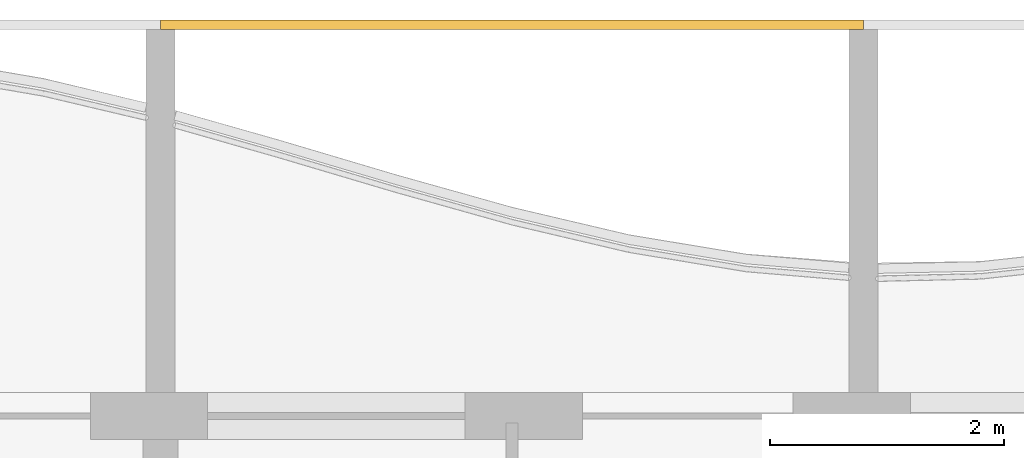
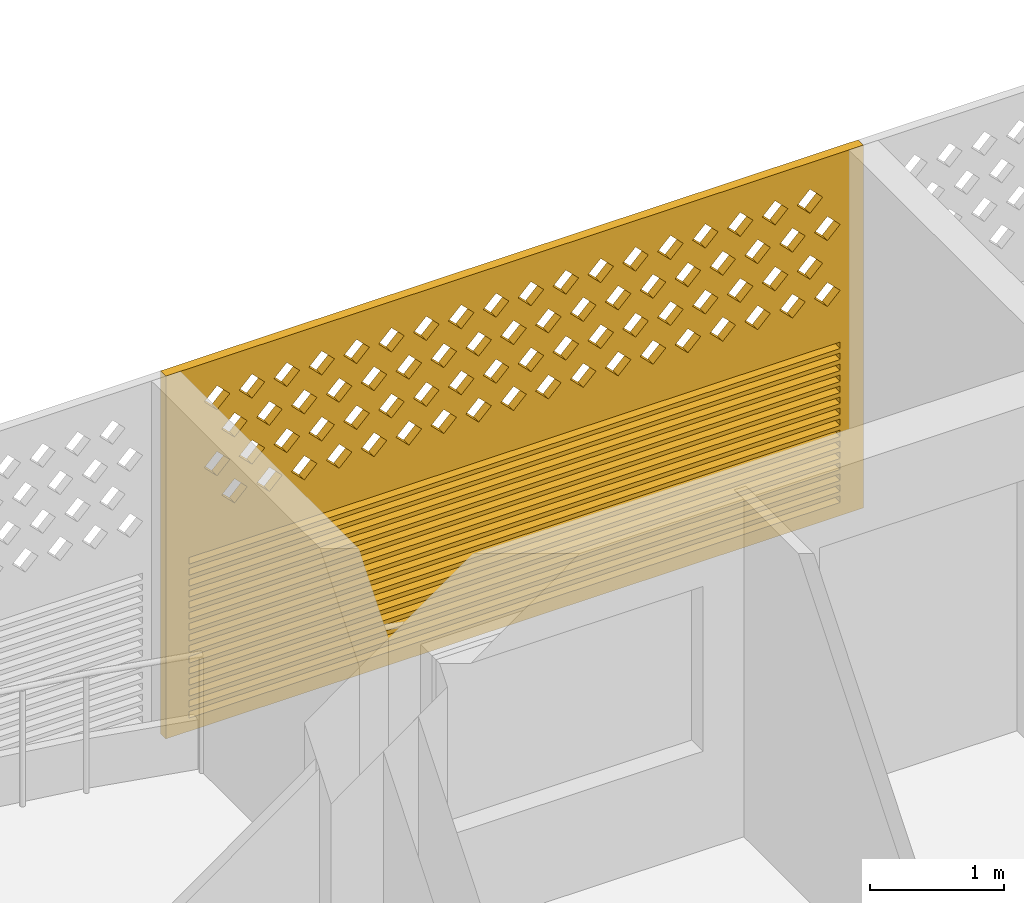
# One storey, part 20 of 32: 1 covering.
"""IFC4 building model written with IfcOpenShell, lengths in metres."""

from ifc_helpers import new_model, si_unit, direction, frame, origin, place, context, subcontext, project, spatial, polyline, outline, extrude, source, transform, mapped, material, material_profile, profile_set, type_object, element, save


model = new_model("IFC4")

# Units and contexts
model_context = context("Model", 3, precision=1e-05, world=origin(), true_north=direction((0.0, 1.0)))
body_context = subcontext(model_context, "Body", "Model", "MODEL_VIEW")
ifc_project = project(units=[si_unit("LENGTHUNIT", "METRE"), si_unit("AREAUNIT", "SQUARE_METRE"), si_unit("VOLUMEUNIT", "CUBIC_METRE"), si_unit("PLANEANGLEUNIT", "RADIAN"), si_unit("MASSUNIT", "GRAM", prefix="KILO")], contexts=[model_context])

# Site, building, storey
site_placement = place(None, origin())
site = spatial("IfcSite", under=ifc_project, at=site_placement, CompositionType="ELEMENT")
building_placement = place(site_placement, origin())
building = spatial("IfcBuilding", under=site, at=building_placement, Name="Poui Terraces", CompositionType="ELEMENT")
storey_placement = place(building_placement, frame((0.0, 0.0, 125.699951171875)))
storey = spatial("IfcBuildingStorey", under=building, at=storey_placement, Name="L34", CompositionType="ELEMENT", Elevation=125.699951171875)

# Covering
ifc_material = material(Name="Terracotta screen", Category="masonry")
ifc_material_profile = material_profile(ifc_material, outline(polyline([(-3.0, -1.64990234375), (3.0, -1.64990234375), (3.0, 1.64990234375), (-3.0, 1.64990234375), (-3.0, -1.64990234375)]), holes=[polyline([(-2.800048828125, 0.39990234375), (-2.68994140625, 0.2900390625), (-2.580078125, 0.39990234375), (-2.68994140625, 0.510009765625), (-2.800048828125, 0.39990234375)]), polyline([(-2.5, 0.39990234375), (-2.389892578125, 0.2900390625), (-2.280029296875, 0.39990234375), (-2.389892578125, 0.510009765625), (-2.5, 0.39990234375)]), polyline([(-2.199951171875, 0.39990234375), (-2.090087890625, 0.2900390625), (-1.97998046875, 0.39990234375), (-2.090087890625, 0.510009765625), (-2.199951171875, 0.39990234375)]), polyline([(-1.89990234375, 0.39990234375), (-1.7900390625, 0.2900390625), (-1.679931640625, 0.39990234375), (-1.7900390625, 0.510009765625), (-1.89990234375, 0.39990234375)]), polyline([(-1.60009765625, 0.39990234375), (-1.489990234375, 0.2900390625), (-1.3798828125, 0.39990234375), (-1.489990234375, 0.510009765625), (-1.60009765625, 0.39990234375)]), polyline([(-1.300048828125, 0.39990234375), (-1.18994140625, 0.2900390625), (-1.080078125, 0.39990234375), (-1.18994140625, 0.510009765625), (-1.300048828125, 0.39990234375)]), polyline([(-1.0, 0.39990234375), (-0.889892578125, 0.2900390625), (-0.780029296875, 0.39990234375), (-0.889892578125, 0.510009765625), (-1.0, 0.39990234375)]), polyline([(-0.699951171875, 0.39990234375), (-0.590087890625, 0.2900390625), (-0.47998046875, 0.39990234375), (-0.590087890625, 0.510009765625), (-0.699951171875, 0.39990234375)]), polyline([(-0.39990234375, 0.39990234375), (-0.2900390625, 0.2900390625), (-0.179931640625, 0.39990234375), (-0.2900390625, 0.510009765625), (-0.39990234375, 0.39990234375)]), polyline([(-0.10009765625, 0.39990234375), (0.010009765625, 0.2900390625), (0.1201171875, 0.39990234375), (0.010009765625, 0.510009765625), (-0.10009765625, 0.39990234375)]), polyline([(0.199951171875, 0.39990234375), (0.31005859375, 0.2900390625), (0.419921875, 0.39990234375), (0.31005859375, 0.510009765625), (0.199951171875, 0.39990234375)]), polyline([(0.5, 0.39990234375), (0.610107421875, 0.2900390625), (0.719970703125, 0.39990234375), (0.610107421875, 0.510009765625), (0.5, 0.39990234375)]), polyline([(0.800048828125, 0.39990234375), (0.909912109375, 0.2900390625), (1.02001953125, 0.39990234375), (0.909912109375, 0.510009765625), (0.800048828125, 0.39990234375)]), polyline([(1.10009765625, 0.39990234375), (1.2099609375, 0.2900390625), (1.320068359375, 0.39990234375), (1.2099609375, 0.510009765625), (1.10009765625, 0.39990234375)]), polyline([(1.39990234375, 0.39990234375), (1.510009765625, 0.2900390625), (1.6201171875, 0.39990234375), (1.510009765625, 0.510009765625), (1.39990234375, 0.39990234375)]), polyline([(1.699951171875, 0.39990234375), (1.81005859375, 0.2900390625), (1.919921875, 0.39990234375), (1.81005859375, 0.510009765625), (1.699951171875, 0.39990234375)]), polyline([(2.0, 0.39990234375), (2.110107421875, 0.2900390625), (2.219970703125, 0.39990234375), (2.110107421875, 0.510009765625), (2.0, 0.39990234375)]), polyline([(2.300048828125, 0.39990234375), (2.409912109375, 0.2900390625), (2.52001953125, 0.39990234375), (2.409912109375, 0.510009765625), (2.300048828125, 0.39990234375)]), polyline([(-2.64990234375, 0.699951171875), (-2.5400390625, 0.590087890625), (-2.429931640625, 0.699951171875), (-2.5400390625, 0.81005859375), (-2.64990234375, 0.699951171875)]), polyline([(-2.35009765625, 0.699951171875), (-2.239990234375, 0.590087890625), (-2.1298828125, 0.699951171875), (-2.239990234375, 0.81005859375), (-2.35009765625, 0.699951171875)]), polyline([(-2.050048828125, 0.699951171875), (-1.93994140625, 0.590087890625), (-1.830078125, 0.699951171875), (-1.93994140625, 0.81005859375), (-2.050048828125, 0.699951171875)]), polyline([(-1.75, 0.699951171875), (-1.639892578125, 0.590087890625), (-1.530029296875, 0.699951171875), (-1.639892578125, 0.81005859375), (-1.75, 0.699951171875)]), polyline([(-1.449951171875, 0.699951171875), (-1.340087890625, 0.590087890625), (-1.22998046875, 0.699951171875), (-1.340087890625, 0.81005859375), (-1.449951171875, 0.699951171875)]), polyline([(-1.14990234375, 0.699951171875), (-1.0400390625, 0.590087890625), (-0.929931640625, 0.699951171875), (-1.0400390625, 0.81005859375), (-1.14990234375, 0.699951171875)]), polyline([(-0.85009765625, 0.699951171875), (-0.739990234375, 0.590087890625), (-0.6298828125, 0.699951171875), (-0.739990234375, 0.81005859375), (-0.85009765625, 0.699951171875)]), polyline([(-0.550048828125, 0.699951171875), (-0.43994140625, 0.590087890625), (-0.330078125, 0.699951171875), (-0.43994140625, 0.81005859375), (-0.550048828125, 0.699951171875)]), polyline([(-0.25, 0.699951171875), (-0.139892578125, 0.590087890625), (-0.030029296875, 0.699951171875), (-0.139892578125, 0.81005859375), (-0.25, 0.699951171875)]), polyline([(0.050048828125, 0.699951171875), (0.159912109375, 0.590087890625), (0.27001953125, 0.699951171875), (0.159912109375, 0.81005859375), (0.050048828125, 0.699951171875)]), polyline([(0.35009765625, 0.699951171875), (0.4599609375, 0.590087890625), (0.570068359375, 0.699951171875), (0.4599609375, 0.81005859375), (0.35009765625, 0.699951171875)]), polyline([(0.64990234375, 0.699951171875), (0.760009765625, 0.590087890625), (0.8701171875, 0.699951171875), (0.760009765625, 0.81005859375), (0.64990234375, 0.699951171875)]), polyline([(0.949951171875, 0.699951171875), (1.06005859375, 0.590087890625), (1.169921875, 0.699951171875), (1.06005859375, 0.81005859375), (0.949951171875, 0.699951171875)]), polyline([(1.25, 0.699951171875), (1.360107421875, 0.590087890625), (1.469970703125, 0.699951171875), (1.360107421875, 0.81005859375), (1.25, 0.699951171875)]), polyline([(1.550048828125, 0.699951171875), (1.659912109375, 0.590087890625), (1.77001953125, 0.699951171875), (1.659912109375, 0.81005859375), (1.550048828125, 0.699951171875)]), polyline([(1.85009765625, 0.699951171875), (1.9599609375, 0.590087890625), (2.070068359375, 0.699951171875), (1.9599609375, 0.81005859375), (1.85009765625, 0.699951171875)]), polyline([(2.14990234375, 0.699951171875), (2.260009765625, 0.590087890625), (2.3701171875, 0.699951171875), (2.260009765625, 0.81005859375), (2.14990234375, 0.699951171875)]), polyline([(2.449951171875, 0.699951171875), (2.56005859375, 0.590087890625), (2.669921875, 0.699951171875), (2.56005859375, 0.81005859375), (2.449951171875, 0.699951171875)]), polyline([(-2.800048828125, 1.0), (-2.68994140625, 0.889892578125), (-2.580078125, 1.0), (-2.68994140625, 1.110107421875), (-2.800048828125, 1.0)]), polyline([(-2.5, 1.0), (-2.389892578125, 0.889892578125), (-2.280029296875, 1.0), (-2.389892578125, 1.110107421875), (-2.5, 1.0)]), polyline([(-2.199951171875, 1.0), (-2.090087890625, 0.889892578125), (-1.97998046875, 1.0), (-2.090087890625, 1.110107421875), (-2.199951171875, 1.0)]), polyline([(-1.89990234375, 1.0), (-1.7900390625, 0.889892578125), (-1.679931640625, 1.0), (-1.7900390625, 1.110107421875), (-1.89990234375, 1.0)]), polyline([(-1.60009765625, 1.0), (-1.489990234375, 0.889892578125), (-1.3798828125, 1.0), (-1.489990234375, 1.110107421875), (-1.60009765625, 1.0)]), polyline([(-1.300048828125, 1.0), (-1.18994140625, 0.889892578125), (-1.080078125, 1.0), (-1.18994140625, 1.110107421875), (-1.300048828125, 1.0)]), polyline([(-1.0, 1.0), (-0.889892578125, 0.889892578125), (-0.780029296875, 1.0), (-0.889892578125, 1.110107421875), (-1.0, 1.0)]), polyline([(-0.699951171875, 1.0), (-0.590087890625, 0.889892578125), (-0.47998046875, 1.0), (-0.590087890625, 1.110107421875), (-0.699951171875, 1.0)]), polyline([(-0.39990234375, 1.0), (-0.2900390625, 0.889892578125), (-0.179931640625, 1.0), (-0.2900390625, 1.110107421875), (-0.39990234375, 1.0)]), polyline([(-0.10009765625, 1.0), (0.010009765625, 0.889892578125), (0.1201171875, 1.0), (0.010009765625, 1.110107421875), (-0.10009765625, 1.0)]), polyline([(0.199951171875, 1.0), (0.31005859375, 0.889892578125), (0.419921875, 1.0), (0.31005859375, 1.110107421875), (0.199951171875, 1.0)]), polyline([(0.5, 1.0), (0.610107421875, 0.889892578125), (0.719970703125, 1.0), (0.610107421875, 1.110107421875), (0.5, 1.0)]), polyline([(0.800048828125, 1.0), (0.909912109375, 0.889892578125), (1.02001953125, 1.0), (0.909912109375, 1.110107421875), (0.800048828125, 1.0)]), polyline([(1.10009765625, 1.0), (1.2099609375, 0.889892578125), (1.320068359375, 1.0), (1.2099609375, 1.110107421875), (1.10009765625, 1.0)]), polyline([(1.39990234375, 1.0), (1.510009765625, 0.889892578125), (1.6201171875, 1.0), (1.510009765625, 1.110107421875), (1.39990234375, 1.0)]), polyline([(1.699951171875, 1.0), (1.81005859375, 0.889892578125), (1.919921875, 1.0), (1.81005859375, 1.110107421875), (1.699951171875, 1.0)]), polyline([(2.0, 1.0), (2.110107421875, 0.889892578125), (2.219970703125, 1.0), (2.110107421875, 1.110107421875), (2.0, 1.0)]), polyline([(2.300048828125, 1.0), (2.409912109375, 0.889892578125), (2.52001953125, 1.0), (2.409912109375, 1.110107421875), (2.300048828125, 1.0)]), polyline([(-2.64990234375, 1.300048828125), (-2.5400390625, 1.18994140625), (-2.429931640625, 1.300048828125), (-2.5400390625, 1.409912109375), (-2.64990234375, 1.300048828125)]), polyline([(-2.35009765625, 1.300048828125), (-2.239990234375, 1.18994140625), (-2.1298828125, 1.300048828125), (-2.239990234375, 1.409912109375), (-2.35009765625, 1.300048828125)]), polyline([(-2.050048828125, 1.300048828125), (-1.93994140625, 1.18994140625), (-1.830078125, 1.300048828125), (-1.93994140625, 1.409912109375), (-2.050048828125, 1.300048828125)]), polyline([(-1.75, 1.300048828125), (-1.639892578125, 1.18994140625), (-1.530029296875, 1.300048828125), (-1.639892578125, 1.409912109375), (-1.75, 1.300048828125)]), polyline([(-1.449951171875, 1.300048828125), (-1.340087890625, 1.18994140625), (-1.22998046875, 1.300048828125), (-1.340087890625, 1.409912109375), (-1.449951171875, 1.300048828125)]), polyline([(-1.14990234375, 1.300048828125), (-1.0400390625, 1.18994140625), (-0.929931640625, 1.300048828125), (-1.0400390625, 1.409912109375), (-1.14990234375, 1.300048828125)]), polyline([(-0.85009765625, 1.300048828125), (-0.739990234375, 1.18994140625), (-0.6298828125, 1.300048828125), (-0.739990234375, 1.409912109375), (-0.85009765625, 1.300048828125)]), polyline([(-0.550048828125, 1.300048828125), (-0.43994140625, 1.18994140625), (-0.330078125, 1.300048828125), (-0.43994140625, 1.409912109375), (-0.550048828125, 1.300048828125)]), polyline([(-0.25, 1.300048828125), (-0.139892578125, 1.18994140625), (-0.030029296875, 1.300048828125), (-0.139892578125, 1.409912109375), (-0.25, 1.300048828125)]), polyline([(0.050048828125, 1.300048828125), (0.159912109375, 1.18994140625), (0.27001953125, 1.300048828125), (0.159912109375, 1.409912109375), (0.050048828125, 1.300048828125)]), polyline([(0.35009765625, 1.300048828125), (0.4599609375, 1.18994140625), (0.570068359375, 1.300048828125), (0.4599609375, 1.409912109375), (0.35009765625, 1.300048828125)]), polyline([(0.64990234375, 1.300048828125), (0.760009765625, 1.18994140625), (0.8701171875, 1.300048828125), (0.760009765625, 1.409912109375), (0.64990234375, 1.300048828125)]), polyline([(0.949951171875, 1.300048828125), (1.06005859375, 1.18994140625), (1.169921875, 1.300048828125), (1.06005859375, 1.409912109375), (0.949951171875, 1.300048828125)]), polyline([(1.25, 1.300048828125), (1.360107421875, 1.18994140625), (1.469970703125, 1.300048828125), (1.360107421875, 1.409912109375), (1.25, 1.300048828125)]), polyline([(1.550048828125, 1.300048828125), (1.659912109375, 1.18994140625), (1.77001953125, 1.300048828125), (1.659912109375, 1.409912109375), (1.550048828125, 1.300048828125)]), polyline([(1.85009765625, 1.300048828125), (1.9599609375, 1.18994140625), (2.070068359375, 1.300048828125), (1.9599609375, 1.409912109375), (1.85009765625, 1.300048828125)]), polyline([(2.14990234375, 1.300048828125), (2.260009765625, 1.18994140625), (2.3701171875, 1.300048828125), (2.260009765625, 1.409912109375), (2.14990234375, 1.300048828125)]), polyline([(2.449951171875, 1.300048828125), (2.56005859375, 1.18994140625), (2.669921875, 1.300048828125), (2.56005859375, 1.409912109375), (2.449951171875, 1.300048828125)]), polyline([(-2.800048828125, -1.530029296875), (2.800048828125, -1.530029296875), (2.800048828125, -1.469970703125), (-2.800048828125, -1.469970703125), (-2.800048828125, -1.530029296875)]), polyline([(-2.800048828125, -1.429931640625), (2.800048828125, -1.429931640625), (2.800048828125, -1.3701171875), (-2.800048828125, -1.3701171875), (-2.800048828125, -1.429931640625)]), polyline([(-2.800048828125, -1.330078125), (2.800048828125, -1.330078125), (2.800048828125, -1.27001953125), (-2.800048828125, -1.27001953125), (-2.800048828125, -1.330078125)]), polyline([(-2.800048828125, -1.22998046875), (2.800048828125, -1.22998046875), (2.800048828125, -1.169921875), (-2.800048828125, -1.169921875), (-2.800048828125, -1.22998046875)]), polyline([(-2.800048828125, -1.1298828125), (2.800048828125, -1.1298828125), (2.800048828125, -1.070068359375), (-2.800048828125, -1.070068359375), (-2.800048828125, -1.1298828125)]), polyline([(-2.800048828125, -1.030029296875), (2.800048828125, -1.030029296875), (2.800048828125, -0.969970703125), (-2.800048828125, -0.969970703125), (-2.800048828125, -1.030029296875)]), polyline([(-2.800048828125, -0.929931640625), (2.800048828125, -0.929931640625), (2.800048828125, -0.8701171875), (-2.800048828125, -0.8701171875), (-2.800048828125, -0.929931640625)]), polyline([(-2.800048828125, -0.830078125), (2.800048828125, -0.830078125), (2.800048828125, -0.77001953125), (-2.800048828125, -0.77001953125), (-2.800048828125, -0.830078125)]), polyline([(-2.800048828125, -0.72998046875), (2.800048828125, -0.72998046875), (2.800048828125, -0.669921875), (-2.800048828125, -0.669921875), (-2.800048828125, -0.72998046875)]), polyline([(-2.800048828125, -0.6298828125), (2.800048828125, -0.6298828125), (2.800048828125, -0.570068359375), (-2.800048828125, -0.570068359375), (-2.800048828125, -0.6298828125)]), polyline([(-2.800048828125, -0.530029296875), (2.800048828125, -0.530029296875), (2.800048828125, -0.469970703125), (-2.800048828125, -0.469970703125), (-2.800048828125, -0.530029296875)]), polyline([(-2.800048828125, -0.429931640625), (2.800048828125, -0.429931640625), (2.800048828125, -0.3701171875), (-2.800048828125, -0.3701171875), (-2.800048828125, -0.429931640625)]), polyline([(-2.800048828125, -0.330078125), (2.800048828125, -0.330078125), (2.800048828125, -0.27001953125), (-2.800048828125, -0.27001953125), (-2.800048828125, -0.330078125)]), polyline([(-2.800048828125, -0.22998046875), (2.800048828125, -0.22998046875), (2.800048828125, -0.169921875), (-2.800048828125, -0.169921875), (-2.800048828125, -0.22998046875)]), polyline([(-2.800048828125, -0.1298828125), (2.800048828125, -0.1298828125), (2.800048828125, -0.070068359375), (-2.800048828125, -0.070068359375), (-2.800048828125, -0.1298828125)])]), Name="TERRACOTTA SCREEN AND JALOUSIE LOUVRE 6000X3300")
ifc_profile_set = profile_set([ifc_material_profile], Name="Terracotta screen")
covering_type = type_object("IfcCoveringType", Name="TERRACOTTA SCREEN AND JALOUSIE LOUVRE 6000X3300", PredefinedType="CLADDING", material=ifc_profile_set)
shared_shape = source(origin(), body_context, "Body", "SweptSolid", [
    extrude(outline(polyline([(-3.0, -1.64990234375), (3.0, -1.64990234375), (3.0, 1.64990234375), (-3.0, 1.64990234375), (-3.0, -1.64990234375)]), holes=[polyline([(-2.800048828125, 0.39990234375), (-2.68994140625, 0.2900390625), (-2.580078125, 0.39990234375), (-2.68994140625, 0.510009765625), (-2.800048828125, 0.39990234375)]), polyline([(-2.5, 0.39990234375), (-2.389892578125, 0.2900390625), (-2.280029296875, 0.39990234375), (-2.389892578125, 0.510009765625), (-2.5, 0.39990234375)]), polyline([(-2.199951171875, 0.39990234375), (-2.090087890625, 0.2900390625), (-1.97998046875, 0.39990234375), (-2.090087890625, 0.510009765625), (-2.199951171875, 0.39990234375)]), polyline([(-1.89990234375, 0.39990234375), (-1.7900390625, 0.2900390625), (-1.679931640625, 0.39990234375), (-1.7900390625, 0.510009765625), (-1.89990234375, 0.39990234375)]), polyline([(-1.60009765625, 0.39990234375), (-1.489990234375, 0.2900390625), (-1.3798828125, 0.39990234375), (-1.489990234375, 0.510009765625), (-1.60009765625, 0.39990234375)]), polyline([(-1.300048828125, 0.39990234375), (-1.18994140625, 0.2900390625), (-1.080078125, 0.39990234375), (-1.18994140625, 0.510009765625), (-1.300048828125, 0.39990234375)]), polyline([(-1.0, 0.39990234375), (-0.889892578125, 0.2900390625), (-0.780029296875, 0.39990234375), (-0.889892578125, 0.510009765625), (-1.0, 0.39990234375)]), polyline([(-0.699951171875, 0.39990234375), (-0.590087890625, 0.2900390625), (-0.47998046875, 0.39990234375), (-0.590087890625, 0.510009765625), (-0.699951171875, 0.39990234375)]), polyline([(-0.39990234375, 0.39990234375), (-0.2900390625, 0.2900390625), (-0.179931640625, 0.39990234375), (-0.2900390625, 0.510009765625), (-0.39990234375, 0.39990234375)]), polyline([(-0.10009765625, 0.39990234375), (0.010009765625, 0.2900390625), (0.1201171875, 0.39990234375), (0.010009765625, 0.510009765625), (-0.10009765625, 0.39990234375)]), polyline([(0.199951171875, 0.39990234375), (0.31005859375, 0.2900390625), (0.419921875, 0.39990234375), (0.31005859375, 0.510009765625), (0.199951171875, 0.39990234375)]), polyline([(0.5, 0.39990234375), (0.610107421875, 0.2900390625), (0.719970703125, 0.39990234375), (0.610107421875, 0.510009765625), (0.5, 0.39990234375)]), polyline([(0.800048828125, 0.39990234375), (0.909912109375, 0.2900390625), (1.02001953125, 0.39990234375), (0.909912109375, 0.510009765625), (0.800048828125, 0.39990234375)]), polyline([(1.10009765625, 0.39990234375), (1.2099609375, 0.2900390625), (1.320068359375, 0.39990234375), (1.2099609375, 0.510009765625), (1.10009765625, 0.39990234375)]), polyline([(1.39990234375, 0.39990234375), (1.510009765625, 0.2900390625), (1.6201171875, 0.39990234375), (1.510009765625, 0.510009765625), (1.39990234375, 0.39990234375)]), polyline([(1.699951171875, 0.39990234375), (1.81005859375, 0.2900390625), (1.919921875, 0.39990234375), (1.81005859375, 0.510009765625), (1.699951171875, 0.39990234375)]), polyline([(2.0, 0.39990234375), (2.110107421875, 0.2900390625), (2.219970703125, 0.39990234375), (2.110107421875, 0.510009765625), (2.0, 0.39990234375)]), polyline([(2.300048828125, 0.39990234375), (2.409912109375, 0.2900390625), (2.52001953125, 0.39990234375), (2.409912109375, 0.510009765625), (2.300048828125, 0.39990234375)]), polyline([(-2.64990234375, 0.699951171875), (-2.5400390625, 0.590087890625), (-2.429931640625, 0.699951171875), (-2.5400390625, 0.81005859375), (-2.64990234375, 0.699951171875)]), polyline([(-2.35009765625, 0.699951171875), (-2.239990234375, 0.590087890625), (-2.1298828125, 0.699951171875), (-2.239990234375, 0.81005859375), (-2.35009765625, 0.699951171875)]), polyline([(-2.050048828125, 0.699951171875), (-1.93994140625, 0.590087890625), (-1.830078125, 0.699951171875), (-1.93994140625, 0.81005859375), (-2.050048828125, 0.699951171875)]), polyline([(-1.75, 0.699951171875), (-1.639892578125, 0.590087890625), (-1.530029296875, 0.699951171875), (-1.639892578125, 0.81005859375), (-1.75, 0.699951171875)]), polyline([(-1.449951171875, 0.699951171875), (-1.340087890625, 0.590087890625), (-1.22998046875, 0.699951171875), (-1.340087890625, 0.81005859375), (-1.449951171875, 0.699951171875)]), polyline([(-1.14990234375, 0.699951171875), (-1.0400390625, 0.590087890625), (-0.929931640625, 0.699951171875), (-1.0400390625, 0.81005859375), (-1.14990234375, 0.699951171875)]), polyline([(-0.85009765625, 0.699951171875), (-0.739990234375, 0.590087890625), (-0.6298828125, 0.699951171875), (-0.739990234375, 0.81005859375), (-0.85009765625, 0.699951171875)]), polyline([(-0.550048828125, 0.699951171875), (-0.43994140625, 0.590087890625), (-0.330078125, 0.699951171875), (-0.43994140625, 0.81005859375), (-0.550048828125, 0.699951171875)]), polyline([(-0.25, 0.699951171875), (-0.139892578125, 0.590087890625), (-0.030029296875, 0.699951171875), (-0.139892578125, 0.81005859375), (-0.25, 0.699951171875)]), polyline([(0.050048828125, 0.699951171875), (0.159912109375, 0.590087890625), (0.27001953125, 0.699951171875), (0.159912109375, 0.81005859375), (0.050048828125, 0.699951171875)]), polyline([(0.35009765625, 0.699951171875), (0.4599609375, 0.590087890625), (0.570068359375, 0.699951171875), (0.4599609375, 0.81005859375), (0.35009765625, 0.699951171875)]), polyline([(0.64990234375, 0.699951171875), (0.760009765625, 0.590087890625), (0.8701171875, 0.699951171875), (0.760009765625, 0.81005859375), (0.64990234375, 0.699951171875)]), polyline([(0.949951171875, 0.699951171875), (1.06005859375, 0.590087890625), (1.169921875, 0.699951171875), (1.06005859375, 0.81005859375), (0.949951171875, 0.699951171875)]), polyline([(1.25, 0.699951171875), (1.360107421875, 0.590087890625), (1.469970703125, 0.699951171875), (1.360107421875, 0.81005859375), (1.25, 0.699951171875)]), polyline([(1.550048828125, 0.699951171875), (1.659912109375, 0.590087890625), (1.77001953125, 0.699951171875), (1.659912109375, 0.81005859375), (1.550048828125, 0.699951171875)]), polyline([(1.85009765625, 0.699951171875), (1.9599609375, 0.590087890625), (2.070068359375, 0.699951171875), (1.9599609375, 0.81005859375), (1.85009765625, 0.699951171875)]), polyline([(2.14990234375, 0.699951171875), (2.260009765625, 0.590087890625), (2.3701171875, 0.699951171875), (2.260009765625, 0.81005859375), (2.14990234375, 0.699951171875)]), polyline([(2.449951171875, 0.699951171875), (2.56005859375, 0.590087890625), (2.669921875, 0.699951171875), (2.56005859375, 0.81005859375), (2.449951171875, 0.699951171875)]), polyline([(-2.800048828125, 1.0), (-2.68994140625, 0.889892578125), (-2.580078125, 1.0), (-2.68994140625, 1.110107421875), (-2.800048828125, 1.0)]), polyline([(-2.5, 1.0), (-2.389892578125, 0.889892578125), (-2.280029296875, 1.0), (-2.389892578125, 1.110107421875), (-2.5, 1.0)]), polyline([(-2.199951171875, 1.0), (-2.090087890625, 0.889892578125), (-1.97998046875, 1.0), (-2.090087890625, 1.110107421875), (-2.199951171875, 1.0)]), polyline([(-1.89990234375, 1.0), (-1.7900390625, 0.889892578125), (-1.679931640625, 1.0), (-1.7900390625, 1.110107421875), (-1.89990234375, 1.0)]), polyline([(-1.60009765625, 1.0), (-1.489990234375, 0.889892578125), (-1.3798828125, 1.0), (-1.489990234375, 1.110107421875), (-1.60009765625, 1.0)]), polyline([(-1.300048828125, 1.0), (-1.18994140625, 0.889892578125), (-1.080078125, 1.0), (-1.18994140625, 1.110107421875), (-1.300048828125, 1.0)]), polyline([(-1.0, 1.0), (-0.889892578125, 0.889892578125), (-0.780029296875, 1.0), (-0.889892578125, 1.110107421875), (-1.0, 1.0)]), polyline([(-0.699951171875, 1.0), (-0.590087890625, 0.889892578125), (-0.47998046875, 1.0), (-0.590087890625, 1.110107421875), (-0.699951171875, 1.0)]), polyline([(-0.39990234375, 1.0), (-0.2900390625, 0.889892578125), (-0.179931640625, 1.0), (-0.2900390625, 1.110107421875), (-0.39990234375, 1.0)]), polyline([(-0.10009765625, 1.0), (0.010009765625, 0.889892578125), (0.1201171875, 1.0), (0.010009765625, 1.110107421875), (-0.10009765625, 1.0)]), polyline([(0.199951171875, 1.0), (0.31005859375, 0.889892578125), (0.419921875, 1.0), (0.31005859375, 1.110107421875), (0.199951171875, 1.0)]), polyline([(0.5, 1.0), (0.610107421875, 0.889892578125), (0.719970703125, 1.0), (0.610107421875, 1.110107421875), (0.5, 1.0)]), polyline([(0.800048828125, 1.0), (0.909912109375, 0.889892578125), (1.02001953125, 1.0), (0.909912109375, 1.110107421875), (0.800048828125, 1.0)]), polyline([(1.10009765625, 1.0), (1.2099609375, 0.889892578125), (1.320068359375, 1.0), (1.2099609375, 1.110107421875), (1.10009765625, 1.0)]), polyline([(1.39990234375, 1.0), (1.510009765625, 0.889892578125), (1.6201171875, 1.0), (1.510009765625, 1.110107421875), (1.39990234375, 1.0)]), polyline([(1.699951171875, 1.0), (1.81005859375, 0.889892578125), (1.919921875, 1.0), (1.81005859375, 1.110107421875), (1.699951171875, 1.0)]), polyline([(2.0, 1.0), (2.110107421875, 0.889892578125), (2.219970703125, 1.0), (2.110107421875, 1.110107421875), (2.0, 1.0)]), polyline([(2.300048828125, 1.0), (2.409912109375, 0.889892578125), (2.52001953125, 1.0), (2.409912109375, 1.110107421875), (2.300048828125, 1.0)]), polyline([(-2.64990234375, 1.300048828125), (-2.5400390625, 1.18994140625), (-2.429931640625, 1.300048828125), (-2.5400390625, 1.409912109375), (-2.64990234375, 1.300048828125)]), polyline([(-2.35009765625, 1.300048828125), (-2.239990234375, 1.18994140625), (-2.1298828125, 1.300048828125), (-2.239990234375, 1.409912109375), (-2.35009765625, 1.300048828125)]), polyline([(-2.050048828125, 1.300048828125), (-1.93994140625, 1.18994140625), (-1.830078125, 1.300048828125), (-1.93994140625, 1.409912109375), (-2.050048828125, 1.300048828125)]), polyline([(-1.75, 1.300048828125), (-1.639892578125, 1.18994140625), (-1.530029296875, 1.300048828125), (-1.639892578125, 1.409912109375), (-1.75, 1.300048828125)]), polyline([(-1.449951171875, 1.300048828125), (-1.340087890625, 1.18994140625), (-1.22998046875, 1.300048828125), (-1.340087890625, 1.409912109375), (-1.449951171875, 1.300048828125)]), polyline([(-1.14990234375, 1.300048828125), (-1.0400390625, 1.18994140625), (-0.929931640625, 1.300048828125), (-1.0400390625, 1.409912109375), (-1.14990234375, 1.300048828125)]), polyline([(-0.85009765625, 1.300048828125), (-0.739990234375, 1.18994140625), (-0.6298828125, 1.300048828125), (-0.739990234375, 1.409912109375), (-0.85009765625, 1.300048828125)]), polyline([(-0.550048828125, 1.300048828125), (-0.43994140625, 1.18994140625), (-0.330078125, 1.300048828125), (-0.43994140625, 1.409912109375), (-0.550048828125, 1.300048828125)]), polyline([(-0.25, 1.300048828125), (-0.139892578125, 1.18994140625), (-0.030029296875, 1.300048828125), (-0.139892578125, 1.409912109375), (-0.25, 1.300048828125)]), polyline([(0.050048828125, 1.300048828125), (0.159912109375, 1.18994140625), (0.27001953125, 1.300048828125), (0.159912109375, 1.409912109375), (0.050048828125, 1.300048828125)]), polyline([(0.35009765625, 1.300048828125), (0.4599609375, 1.18994140625), (0.570068359375, 1.300048828125), (0.4599609375, 1.409912109375), (0.35009765625, 1.300048828125)]), polyline([(0.64990234375, 1.300048828125), (0.760009765625, 1.18994140625), (0.8701171875, 1.300048828125), (0.760009765625, 1.409912109375), (0.64990234375, 1.300048828125)]), polyline([(0.949951171875, 1.300048828125), (1.06005859375, 1.18994140625), (1.169921875, 1.300048828125), (1.06005859375, 1.409912109375), (0.949951171875, 1.300048828125)]), polyline([(1.25, 1.300048828125), (1.360107421875, 1.18994140625), (1.469970703125, 1.300048828125), (1.360107421875, 1.409912109375), (1.25, 1.300048828125)]), polyline([(1.550048828125, 1.300048828125), (1.659912109375, 1.18994140625), (1.77001953125, 1.300048828125), (1.659912109375, 1.409912109375), (1.550048828125, 1.300048828125)]), polyline([(1.85009765625, 1.300048828125), (1.9599609375, 1.18994140625), (2.070068359375, 1.300048828125), (1.9599609375, 1.409912109375), (1.85009765625, 1.300048828125)]), polyline([(2.14990234375, 1.300048828125), (2.260009765625, 1.18994140625), (2.3701171875, 1.300048828125), (2.260009765625, 1.409912109375), (2.14990234375, 1.300048828125)]), polyline([(2.449951171875, 1.300048828125), (2.56005859375, 1.18994140625), (2.669921875, 1.300048828125), (2.56005859375, 1.409912109375), (2.449951171875, 1.300048828125)]), polyline([(-2.800048828125, -1.530029296875), (2.800048828125, -1.530029296875), (2.800048828125, -1.469970703125), (-2.800048828125, -1.469970703125), (-2.800048828125, -1.530029296875)]), polyline([(-2.800048828125, -1.429931640625), (2.800048828125, -1.429931640625), (2.800048828125, -1.3701171875), (-2.800048828125, -1.3701171875), (-2.800048828125, -1.429931640625)]), polyline([(-2.800048828125, -1.330078125), (2.800048828125, -1.330078125), (2.800048828125, -1.27001953125), (-2.800048828125, -1.27001953125), (-2.800048828125, -1.330078125)]), polyline([(-2.800048828125, -1.22998046875), (2.800048828125, -1.22998046875), (2.800048828125, -1.169921875), (-2.800048828125, -1.169921875), (-2.800048828125, -1.22998046875)]), polyline([(-2.800048828125, -1.1298828125), (2.800048828125, -1.1298828125), (2.800048828125, -1.070068359375), (-2.800048828125, -1.070068359375), (-2.800048828125, -1.1298828125)]), polyline([(-2.800048828125, -1.030029296875), (2.800048828125, -1.030029296875), (2.800048828125, -0.969970703125), (-2.800048828125, -0.969970703125), (-2.800048828125, -1.030029296875)]), polyline([(-2.800048828125, -0.929931640625), (2.800048828125, -0.929931640625), (2.800048828125, -0.8701171875), (-2.800048828125, -0.8701171875), (-2.800048828125, -0.929931640625)]), polyline([(-2.800048828125, -0.830078125), (2.800048828125, -0.830078125), (2.800048828125, -0.77001953125), (-2.800048828125, -0.77001953125), (-2.800048828125, -0.830078125)]), polyline([(-2.800048828125, -0.72998046875), (2.800048828125, -0.72998046875), (2.800048828125, -0.669921875), (-2.800048828125, -0.669921875), (-2.800048828125, -0.72998046875)]), polyline([(-2.800048828125, -0.6298828125), (2.800048828125, -0.6298828125), (2.800048828125, -0.570068359375), (-2.800048828125, -0.570068359375), (-2.800048828125, -0.6298828125)]), polyline([(-2.800048828125, -0.530029296875), (2.800048828125, -0.530029296875), (2.800048828125, -0.469970703125), (-2.800048828125, -0.469970703125), (-2.800048828125, -0.530029296875)]), polyline([(-2.800048828125, -0.429931640625), (2.800048828125, -0.429931640625), (2.800048828125, -0.3701171875), (-2.800048828125, -0.3701171875), (-2.800048828125, -0.429931640625)]), polyline([(-2.800048828125, -0.330078125), (2.800048828125, -0.330078125), (2.800048828125, -0.27001953125), (-2.800048828125, -0.27001953125), (-2.800048828125, -0.330078125)]), polyline([(-2.800048828125, -0.22998046875), (2.800048828125, -0.22998046875), (2.800048828125, -0.169921875), (-2.800048828125, -0.169921875), (-2.800048828125, -0.22998046875)]), polyline([(-2.800048828125, -0.1298828125), (2.800048828125, -0.1298828125), (2.800048828125, -0.070068359375), (-2.800048828125, -0.070068359375), (-2.800048828125, -0.1298828125)])]), origin(), (0.0, 0.0, 1.0), 0.080078125),
])
covering_placement = place(storey_placement, frame((27.0, 45.699951171875, 1.449951171875), z_axis=(0.0, 1.0, 0.0), x_axis=(-1.0, 0.0, 0.0)))
element("IfcCovering", 1, at=covering_placement, inside=storey, type_object=covering_type, Name="SOLAR SCREEN AND JALOUSIE LOUVRE", PredefinedType="CLADDING", context=body_context, shape_type="MappedRepresentation", body=[
    mapped(shared_shape, transform((0.0, 0.0, 0.0))),
])

save(model, "model.ifc")
